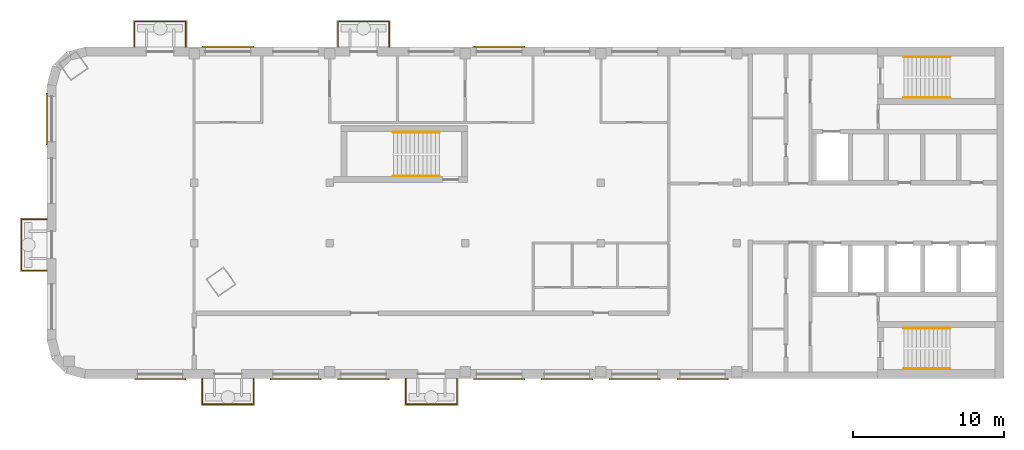
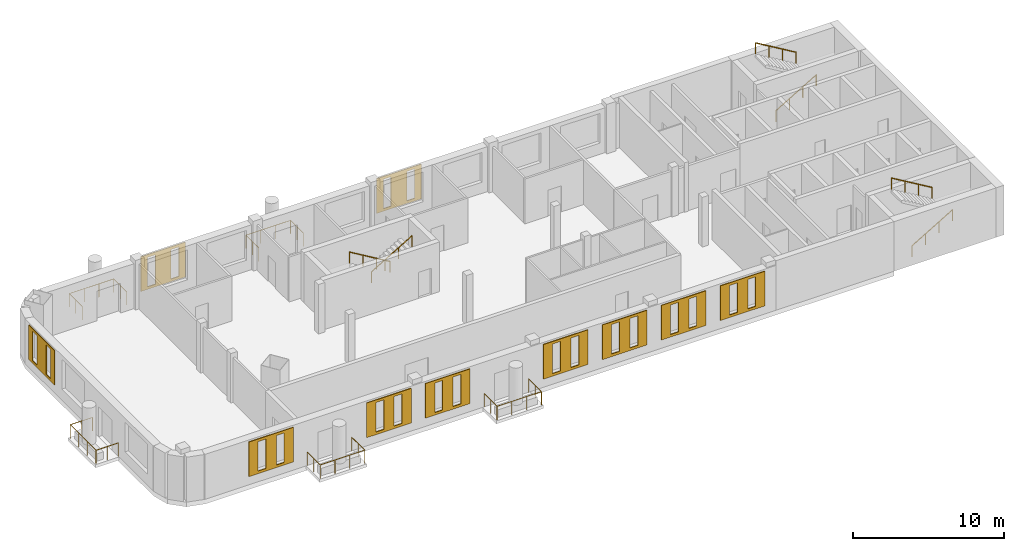
# One storey, part 5 of 7: 11 railings, 10 coverings.
"""IFC4 building model written with IfcOpenShell, lengths in metres."""

from ifc_helpers import new_model, si_unit, direction, frame, origin, origin_2d, place, context, subcontext, project, spatial, polyline, circle, outline, extrude, material, material_profile, profile_set, type_object, element, save


model = new_model("IFC4")

# Units and contexts
model_context = context("Model", 3, precision=1e-05, world=origin(), true_north=direction((0.0, 1.0)))
body_context = subcontext(model_context, "Body", "Model", "MODEL_VIEW")
ifc_project = project(units=[si_unit("LENGTHUNIT", "METRE"), si_unit("AREAUNIT", "SQUARE_METRE"), si_unit("VOLUMEUNIT", "CUBIC_METRE"), si_unit("PLANEANGLEUNIT", "RADIAN"), si_unit("MASSUNIT", "GRAM", prefix="KILO")], contexts=[model_context])

# Site, building, storey
site_placement = place(None, origin())
site = spatial("IfcSite", under=ifc_project, at=site_placement, CompositionType="ELEMENT")
building_placement = place(site_placement, origin())
building = spatial("IfcBuilding", under=site, at=building_placement, Name="Skarvind Civic Tower", CompositionType="ELEMENT")
storey_placement = place(building_placement, frame((0.0, 0.0, 265.5)))
storey = spatial("IfcBuildingStorey", under=building, at=storey_placement, Name="L63", CompositionType="ELEMENT", Elevation=265.5)

# Railings
ifc_material_1 = material(Name="Stainless steel balustrade", Category="steel")
railing_type_1 = type_object("IfcRailingType", Name="GR1 GUARD 1100", PredefinedType="GUARDRAIL", material=ifc_material_1)
for number, where, name in (
    (1, (50.300048828125, 139.0, 0.0), "TREE BALCONY GUARD"),
    (2, (63.800048828125, 139.0, 0.0), "TREE BALCONY GUARD"),
):
    element("IfcRailing", number, at=place(storey_placement, frame(where)), inside=storey, type_object=railing_type_1, Name=name, PredefinedType="GUARDRAIL", context=body_context, shape_type="SweptSolid", body=[
        extrude(circle(Radius=0.02392578125, at=origin_2d()), frame((0.0, 0.0, 1.076171875), z_axis=(0.0, 1.0, 0.0), x_axis=(-1.0, 0.0, 0.0)), (0.0, 0.0, 1.0), 1.699951171875),
        extrude(circle(Radius=0.02392578125, at=origin_2d()), frame((0.0, 1.699951171875, 1.076171875), z_axis=(1.0, 0.0, 0.0), x_axis=(0.0, 1.0, 0.0)), (0.0, 0.0, 1.0), 3.39990234375),
        extrude(circle(Radius=0.02392578125, at=origin_2d()), frame((3.39990234375, 1.699951171875, 1.076171875), z_axis=(0.0, -1.0, 0.0), x_axis=(1.0, 0.0, 0.0)), (0.0, 0.0, 1.0), 1.699951171875),
        extrude(circle(Radius=0.02099609375, at=origin_2d()), origin(), (0.0, 0.0, 1.0), 1.052001953125),
        extrude(circle(Radius=0.02099609375, at=origin_2d()), frame((0.0, 0.85009765625, 0.0)), (0.0, 0.0, 1.0), 1.052001953125),
        extrude(circle(Radius=0.02099609375, at=origin_2d()), frame((0.0, 1.699951171875, 0.0)), (0.0, 0.0, 1.0), 1.052001953125),
        extrude(circle(Radius=0.02099609375, at=origin_2d()), frame((1.13330078125, 1.699951171875, 0.0)), (0.0, 0.0, 1.0), 1.052001953125),
        extrude(circle(Radius=0.02099609375, at=origin_2d()), frame((2.2666015625, 1.699951171875, 0.0)), (0.0, 0.0, 1.0), 1.052001953125),
        extrude(circle(Radius=0.02099609375, at=origin_2d()), frame((3.39990234375, 1.699951171875, 0.0)), (0.0, 0.0, 1.0), 1.052001953125),
        extrude(circle(Radius=0.02099609375, at=origin_2d()), frame((3.39990234375, 0.85009765625, 0.0)), (0.0, 0.0, 1.0), 1.052001953125),
        extrude(circle(Radius=0.02099609375, at=origin_2d()), frame((3.39990234375, 0.0, 0.0)), (0.0, 0.0, 1.0), 1.052001953125),
    ])
railing_1_placement = place(storey_placement, frame((44.5, 124.175048828125, 0.0)))
element("IfcRailing", 3, at=railing_1_placement, inside=storey, type_object=railing_type_1, Name="TREE BALCONY GUARD", PredefinedType="GUARDRAIL", context=body_context, shape_type="SweptSolid", body=[
    extrude(circle(Radius=0.02392578125, at=origin_2d()), frame((0.0, 0.0, 1.076171875), z_axis=(-1.0, 0.0, 0.0), x_axis=(0.0, -1.0, 0.0)), (0.0, 0.0, 1.0), 1.699951171875),
    extrude(circle(Radius=0.02392578125, at=origin_2d()), frame((-1.699951171875, 0.0, 1.076171875), z_axis=(0.0, 1.0, 0.0), x_axis=(-1.0, 0.0, 0.0)), (0.0, 0.0, 1.0), 3.39990234375),
    extrude(circle(Radius=0.02392578125, at=origin_2d()), frame((-1.699951171875, 3.39990234375, 1.076171875), z_axis=(1.0, 0.0, 0.0), x_axis=(0.0, 1.0, 0.0)), (0.0, 0.0, 1.0), 1.699951171875),
    extrude(circle(Radius=0.02099609375, at=origin_2d()), origin(), (0.0, 0.0, 1.0), 1.052001953125),
    extrude(circle(Radius=0.02099609375, at=origin_2d()), frame((-0.85009765625, 0.0, 0.0)), (0.0, 0.0, 1.0), 1.052001953125),
    extrude(circle(Radius=0.02099609375, at=origin_2d()), frame((-1.699951171875, 0.0, 0.0)), (0.0, 0.0, 1.0), 1.052001953125),
    extrude(circle(Radius=0.02099609375, at=origin_2d()), frame((-1.699951171875, 1.13330078125, 0.0)), (0.0, 0.0, 1.0), 1.052001953125),
    extrude(circle(Radius=0.02099609375, at=origin_2d()), frame((-1.699951171875, 2.2666015625, 0.0)), (0.0, 0.0, 1.0), 1.052001953125),
    extrude(circle(Radius=0.02099609375, at=origin_2d()), frame((-1.699951171875, 3.39990234375, 0.0)), (0.0, 0.0, 1.0), 1.052001953125),
    extrude(circle(Radius=0.02099609375, at=origin_2d()), frame((-0.85009765625, 3.39990234375, 0.0)), (0.0, 0.0, 1.0), 1.052001953125),
    extrude(circle(Radius=0.02099609375, at=origin_2d()), frame((0.0, 3.39990234375, 0.0)), (0.0, 0.0, 1.0), 1.052001953125),
])
for number, where, name in (
    (4, (71.699951171875, 117.0, 0.0), "TREE BALCONY GUARD"),
    (5, (58.199951171875, 117.0, 0.0), "TREE BALCONY GUARD"),
):
    element("IfcRailing", number, at=place(storey_placement, frame(where)), inside=storey, type_object=railing_type_1, Name=name, PredefinedType="GUARDRAIL", context=body_context, shape_type="SweptSolid", body=[
        extrude(circle(Radius=0.02392578125, at=origin_2d()), frame((0.0, 0.0, 1.076171875), z_axis=(0.0, -1.0, 0.0), x_axis=(1.0, 0.0, 0.0)), (0.0, 0.0, 1.0), 1.699951171875),
        extrude(circle(Radius=0.02392578125, at=origin_2d()), frame((0.0, -1.699951171875, 1.076171875), z_axis=(-1.0, 0.0, 0.0), x_axis=(0.0, -1.0, 0.0)), (0.0, 0.0, 1.0), 3.39990234375),
        extrude(circle(Radius=0.02392578125, at=origin_2d()), frame((-3.39990234375, -1.699951171875, 1.076171875), z_axis=(0.0, 1.0, 0.0), x_axis=(-1.0, 0.0, 0.0)), (0.0, 0.0, 1.0), 1.699951171875),
        extrude(circle(Radius=0.02099609375, at=origin_2d()), origin(), (0.0, 0.0, 1.0), 1.052001953125),
        extrude(circle(Radius=0.02099609375, at=origin_2d()), frame((0.0, -0.85009765625, 0.0)), (0.0, 0.0, 1.0), 1.052001953125),
        extrude(circle(Radius=0.02099609375, at=origin_2d()), frame((0.0, -1.699951171875, 0.0)), (0.0, 0.0, 1.0), 1.052001953125),
        extrude(circle(Radius=0.02099609375, at=origin_2d()), frame((-1.13330078125, -1.699951171875, 0.0)), (0.0, 0.0, 1.0), 1.052001953125),
        extrude(circle(Radius=0.02099609375, at=origin_2d()), frame((-2.2666015625, -1.699951171875, 0.0)), (0.0, 0.0, 1.0), 1.052001953125),
        extrude(circle(Radius=0.02099609375, at=origin_2d()), frame((-3.39990234375, -1.699951171875, 0.0)), (0.0, 0.0, 1.0), 1.052001953125),
        extrude(circle(Radius=0.02099609375, at=origin_2d()), frame((-3.39990234375, -0.85009765625, 0.0)), (0.0, 0.0, 1.0), 1.052001953125),
        extrude(circle(Radius=0.02099609375, at=origin_2d()), frame((-3.39990234375, 0.0, 0.0)), (0.0, 0.0, 1.0), 1.052001953125),
    ])
ifc_material_2 = material(Name="Painted steel handrail", Category="steel")
railing_type_2 = type_object("IfcRailingType", Name="Stair handrail 900", PredefinedType="HANDRAIL", material=ifc_material_2)
railing_2_placement = place(storey_placement, frame((101.35009765625, 135.64990234375, 0.166748046875)))
element("IfcRailing", 6, at=railing_2_placement, inside=storey, type_object=railing_type_2, Name="Stair handrail", PredefinedType="HANDRAIL", context=body_context, shape_type="SweptSolid", body=[
    extrude(circle(Radius=0.02392578125, at=origin_2d()), frame((0.0, 0.0, 0.8759765625), z_axis=(0.859290745958, 0.0, 0.51148745235), x_axis=(0.0, 1.0, 0.0)), (0.0, 0.0, 1.0), 3.584228515625),
    extrude(circle(Radius=0.02099609375, at=origin_2d()), origin(), (0.0, 0.0, 1.0), 0.851806640625),
    extrude(circle(Radius=0.02099609375, at=origin_2d()), frame((1.026611328125, 0.0, 0.611083984375)), (0.0, 0.0, 1.0), 0.851806640625),
    extrude(circle(Radius=0.02099609375, at=origin_2d()), frame((2.05322265625, 0.0, 1.22216796875)), (0.0, 0.0, 1.0), 0.851806640625),
    extrude(circle(Radius=0.02099609375, at=origin_2d()), frame((3.079833984375, 0.0, 1.833251953125)), (0.0, 0.0, 1.0), 0.851806640625),
])
railing_3_placement = place(storey_placement, frame((104.429931640625, 138.35009765625, 2.166748046875)))
element("IfcRailing", 7, at=railing_3_placement, inside=storey, type_object=railing_type_2, Name="Stair handrail", PredefinedType="HANDRAIL", context=body_context, shape_type="SweptSolid", body=[
    extrude(circle(Radius=0.02392578125, at=origin_2d()), frame((0.0, 0.0, 0.8759765625), z_axis=(-0.859290745958, 0.0, 0.51148745235), x_axis=(0.0, -1.0, 0.0)), (0.0, 0.0, 1.0), 3.584228515625),
    extrude(circle(Radius=0.02099609375, at=origin_2d()), origin(), (0.0, 0.0, 1.0), 0.851806640625),
    extrude(circle(Radius=0.02099609375, at=origin_2d()), frame((-1.026611328125, 0.0, 0.611083984375)), (0.0, 0.0, 1.0), 0.851806640625),
    extrude(circle(Radius=0.02099609375, at=origin_2d()), frame((-2.05322265625, 0.0, 1.22216796875)), (0.0, 0.0, 1.0), 0.851806640625),
    extrude(circle(Radius=0.02099609375, at=origin_2d()), frame((-3.079833984375, 0.0, 1.833251953125)), (0.0, 0.0, 1.0), 0.851806640625),
])
railing_4_placement = place(storey_placement, frame((101.35009765625, 117.64990234375, 0.166748046875)))
element("IfcRailing", 8, at=railing_4_placement, inside=storey, type_object=railing_type_2, Name="Stair handrail", PredefinedType="HANDRAIL", context=body_context, shape_type="SweptSolid", body=[
    extrude(circle(Radius=0.02392578125, at=origin_2d()), frame((0.0, 0.0, 0.8759765625), z_axis=(0.859290745958, 0.0, 0.51148745235), x_axis=(0.0, 1.0, 0.0)), (0.0, 0.0, 1.0), 3.584228515625),
    extrude(circle(Radius=0.02099609375, at=origin_2d()), origin(), (0.0, 0.0, 1.0), 0.851806640625),
    extrude(circle(Radius=0.02099609375, at=origin_2d()), frame((1.026611328125, 0.0, 0.611083984375)), (0.0, 0.0, 1.0), 0.851806640625),
    extrude(circle(Radius=0.02099609375, at=origin_2d()), frame((2.05322265625, 0.0, 1.22216796875)), (0.0, 0.0, 1.0), 0.851806640625),
    extrude(circle(Radius=0.02099609375, at=origin_2d()), frame((3.079833984375, 0.0, 1.833251953125)), (0.0, 0.0, 1.0), 0.851806640625),
])
railing_5_placement = place(storey_placement, frame((104.429931640625, 120.35009765625, 2.166748046875)))
element("IfcRailing", 9, at=railing_5_placement, inside=storey, type_object=railing_type_2, Name="Stair handrail", PredefinedType="HANDRAIL", context=body_context, shape_type="SweptSolid", body=[
    extrude(circle(Radius=0.02392578125, at=origin_2d()), frame((0.0, 0.0, 0.8759765625), z_axis=(-0.859290745958, 0.0, 0.51148745235), x_axis=(0.0, -1.0, 0.0)), (0.0, 0.0, 1.0), 3.584228515625),
    extrude(circle(Radius=0.02099609375, at=origin_2d()), origin(), (0.0, 0.0, 1.0), 0.851806640625),
    extrude(circle(Radius=0.02099609375, at=origin_2d()), frame((-1.026611328125, 0.0, 0.611083984375)), (0.0, 0.0, 1.0), 0.851806640625),
    extrude(circle(Radius=0.02099609375, at=origin_2d()), frame((-2.05322265625, 0.0, 1.22216796875)), (0.0, 0.0, 1.0), 0.851806640625),
    extrude(circle(Radius=0.02099609375, at=origin_2d()), frame((-3.079833984375, 0.0, 1.833251953125)), (0.0, 0.0, 1.0), 0.851806640625),
])
railing_6_placement = place(storey_placement, frame((70.550048828125, 133.35009765625, 0.166748046875)))
element("IfcRailing", 10, at=railing_6_placement, inside=storey, type_object=railing_type_2, Name="Stair handrail", PredefinedType="HANDRAIL", context=body_context, shape_type="SweptSolid", body=[
    extrude(circle(Radius=0.02392578125, at=origin_2d()), frame((0.0, 0.0, 0.8759765625), z_axis=(-0.859308565015, 0.0, 0.511457515432), x_axis=(0.0, -1.0, 0.0)), (0.0, 0.0, 1.0), 3.58447265625),
    extrude(circle(Radius=0.02099609375, at=origin_2d()), origin(), (0.0, 0.0, 1.0), 0.851806640625),
    extrude(circle(Radius=0.02099609375, at=origin_2d()), frame((-1.026611328125, 0.0, 0.611083984375)), (0.0, 0.0, 1.0), 0.851806640625),
    extrude(circle(Radius=0.02099609375, at=origin_2d()), frame((-2.053466796875, 0.0, 1.22216796875)), (0.0, 0.0, 1.0), 0.851806640625),
    extrude(circle(Radius=0.02099609375, at=origin_2d()), frame((-3.080078125, 0.0, 1.833251953125)), (0.0, 0.0, 1.0), 0.851806640625),
])
railing_7_placement = place(storey_placement, frame((67.469970703125, 130.449951171875, 2.166748046875)))
element("IfcRailing", 11, at=railing_7_placement, inside=storey, type_object=railing_type_2, Name="Stair handrail", PredefinedType="HANDRAIL", context=body_context, shape_type="SweptSolid", body=[
    extrude(circle(Radius=0.02392578125, at=origin_2d()), frame((0.0, 0.0, 0.8759765625), z_axis=(0.859308565015, 0.0, 0.511457515432), x_axis=(0.0, 1.0, 0.0)), (0.0, 0.0, 1.0), 3.58447265625),
    extrude(circle(Radius=0.02099609375, at=origin_2d()), origin(), (0.0, 0.0, 1.0), 0.851806640625),
    extrude(circle(Radius=0.02099609375, at=origin_2d()), frame((1.026611328125, 0.0, 0.611083984375)), (0.0, 0.0, 1.0), 0.851806640625),
    extrude(circle(Radius=0.02099609375, at=origin_2d()), frame((2.053466796875, 0.0, 1.22216796875)), (0.0, 0.0, 1.0), 0.851806640625),
    extrude(circle(Radius=0.02099609375, at=origin_2d()), frame((3.080078125, 0.0, 1.833251953125)), (0.0, 0.0, 1.0), 0.851806640625),
])

# Coverings
ifc_material_3 = material(Name="Terracotta", Category="masonry")
ifc_material_profile_1 = material_profile(ifc_material_3, outline(polyline([(-1.699951171875, -1.39990234375), (1.699951171875, -1.39990234375), (1.699951171875, 1.39990234375), (-1.699951171875, 1.39990234375), (-1.699951171875, -1.39990234375)]), holes=[polyline([(-1.0, -1.18994140625), (-0.39990234375, -1.18994140625), (-0.39990234375, 1.18994140625), (-1.0, 1.18994140625), (-1.0, -1.18994140625)]), polyline([(0.39990234375, -1.18994140625), (1.0, -1.18994140625), (1.0, 1.18994140625), (0.39990234375, 1.18994140625), (0.39990234375, -1.18994140625)])]), Name="TERRACOTTA SCREEN 3400 x 2800, SLIT PITCH 1400")
ifc_profile_set_1 = profile_set([ifc_material_profile_1], Name="Terracotta")
covering_type_1 = type_object("IfcCoveringType", Name="TERRACOTTA SCREEN 3400 x 2800, SLIT PITCH 1400", PredefinedType="CLADDING", material=ifc_profile_set_1)
for number, where, z_axis, x_axis, name in (
    (12, (88.0, 117.0, 2.10009765625), (0.0, -1.0, 0.0), (1.0, 0.0, 0.0), "TERRACOTTA SCREEN"),
    (13, (83.5, 117.0, 2.10009765625), (0.0, -1.0, 0.0), (1.0, 0.0, 0.0), "TERRACOTTA SCREEN"),
    (14, (79.0, 117.0, 2.10009765625), (0.0, -1.0, 0.0), (1.0, 0.0, 0.0), "TERRACOTTA SCREEN"),
    (15, (74.5, 117.0, 2.10009765625), (0.0, -1.0, 0.0), (1.0, 0.0, 0.0), "TERRACOTTA SCREEN"),
    (16, (65.5, 117.0, 2.10009765625), (0.0, -1.0, 0.0), (1.0, 0.0, 0.0), "TERRACOTTA SCREEN"),
    (17, (61.0, 117.0, 2.10009765625), (0.0, -1.0, 0.0), (1.0, 0.0, 0.0), "TERRACOTTA SCREEN"),
    (18, (52.0, 117.0, 2.10009765625), (0.0, -1.0, 0.0), (1.0, 0.0, 0.0), "TERRACOTTA SCREEN"),
):
    element("IfcCovering", number, at=place(storey_placement, frame(where, z_axis=z_axis, x_axis=x_axis)), inside=storey, type_object=covering_type_1, Name=name, PredefinedType="CLADDING", context=body_context, shape_type="SweptSolid", body=[
        extrude(outline(polyline([(-1.699951171875, -1.39990234375), (1.699951171875, -1.39990234375), (1.699951171875, 1.39990234375), (-1.699951171875, 1.39990234375), (-1.699951171875, -1.39990234375)]), holes=[polyline([(-1.0, -1.18994140625), (-0.39990234375, -1.18994140625), (-0.39990234375, 1.18994140625), (-1.0, 1.18994140625), (-1.0, -1.18994140625)]), polyline([(0.39990234375, -1.18994140625), (1.0, -1.18994140625), (1.0, 1.18994140625), (0.39990234375, 1.18994140625), (0.39990234375, -1.18994140625)])]), origin(), (0.0, 0.0, 1.0), 0.06005859375),
    ])
ifc_material_profile_2 = material_profile(ifc_material_3, outline(polyline([(-1.699951171875, -1.39990234375), (1.699951171875, -1.39990234375), (1.699951171875, 1.39990234375), (-1.699951171875, 1.39990234375), (-1.699951171875, -1.39990234375)]), holes=[polyline([(-1.199951171875, -1.18994140625), (-0.60009765625, -1.18994140625), (-0.60009765625, 1.18994140625), (-1.199951171875, 1.18994140625), (-1.199951171875, -1.18994140625)]), polyline([(0.60009765625, -1.18994140625), (1.199951171875, -1.18994140625), (1.199951171875, 1.18994140625), (0.60009765625, 1.18994140625), (0.60009765625, -1.18994140625)])]), Name="TERRACOTTA SCREEN 3400 x 2800, SLIT PITCH 1800")
ifc_profile_set_2 = profile_set([ifc_material_profile_2], Name="Terracotta")
covering_type_2 = type_object("IfcCoveringType", Name="TERRACOTTA SCREEN 3400 x 2800, SLIT PITCH 1800", PredefinedType="CLADDING", material=ifc_profile_set_2)
for number, where, z_axis, x_axis, name in (
    (19, (56.5, 139.0, 2.10009765625), (0.0, 1.0, 0.0), (-1.0, 0.0, 0.0), "TERRACOTTA SCREEN"),
    (20, (74.5, 139.0, 2.10009765625), (0.0, 1.0, 0.0), (-1.0, 0.0, 0.0), "TERRACOTTA SCREEN"),
    (21, (44.5, 134.22509765625, 2.10009765625), (-1.0, 0.0, 0.0), (0.0, -1.0, 0.0), "TERRACOTTA SCREEN"),
):
    element("IfcCovering", number, at=place(storey_placement, frame(where, z_axis=z_axis, x_axis=x_axis)), inside=storey, type_object=covering_type_2, Name=name, PredefinedType="CLADDING", context=body_context, shape_type="SweptSolid", body=[
        extrude(outline(polyline([(-1.699951171875, -1.39990234375), (1.699951171875, -1.39990234375), (1.699951171875, 1.39990234375), (-1.699951171875, 1.39990234375), (-1.699951171875, -1.39990234375)]), holes=[polyline([(-1.199951171875, -1.18994140625), (-0.60009765625, -1.18994140625), (-0.60009765625, 1.18994140625), (-1.199951171875, 1.18994140625), (-1.199951171875, -1.18994140625)]), polyline([(0.60009765625, -1.18994140625), (1.199951171875, -1.18994140625), (1.199951171875, 1.18994140625), (0.60009765625, 1.18994140625), (0.60009765625, -1.18994140625)])]), origin(), (0.0, 0.0, 1.0), 0.06005859375),
    ])

save(model, "model.ifc")
